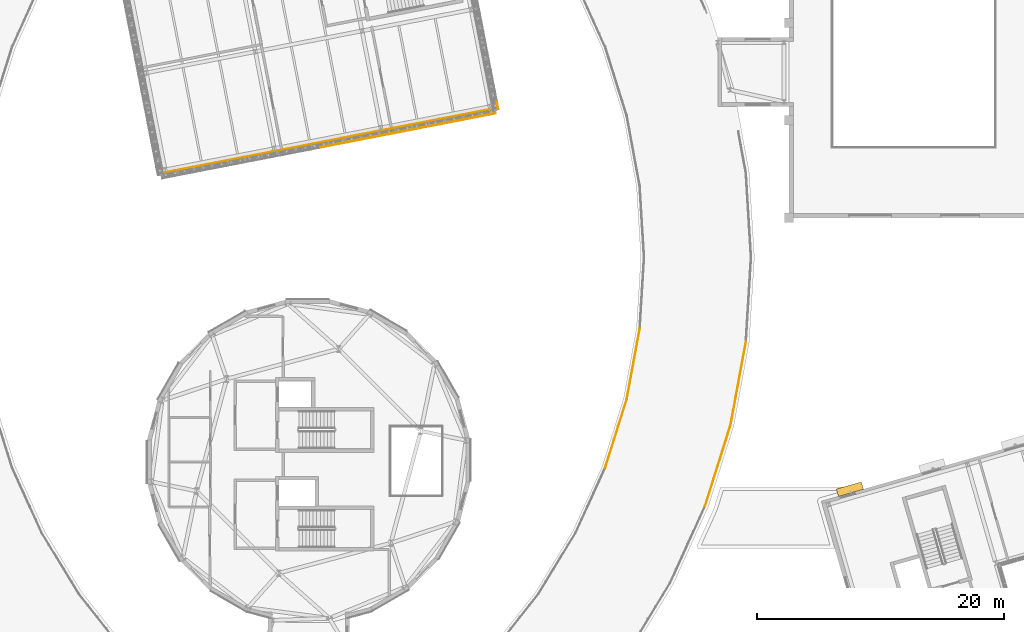
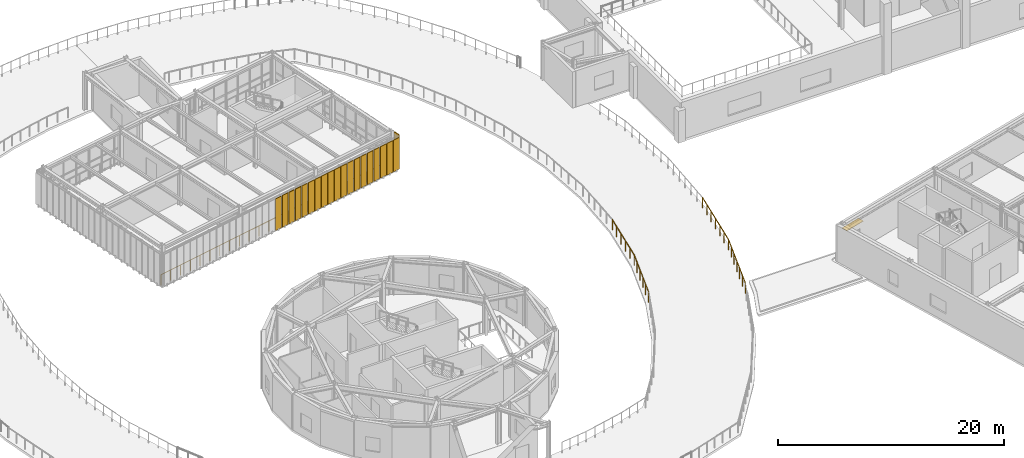
# One storey, part 52 of 59: 21 shading devices, 5 railings.
"""IFC4 building model written with IfcOpenShell, lengths in metres."""

from ifc_helpers import new_model, si_unit, direction, frame, origin, origin_2d, place, context, subcontext, project, spatial, rectangle, circle, extrude, material, layer, layer_set, type_object, element, save


model = new_model("IFC4")

# Units and contexts
model_context = context("Model", 3, precision=1e-05, world=origin(), true_north=direction((0.0, 1.0)))
body_context = subcontext(model_context, "Body", "Model", "MODEL_VIEW")
ifc_project = project(units=[si_unit("LENGTHUNIT", "METRE"), si_unit("AREAUNIT", "SQUARE_METRE"), si_unit("VOLUMEUNIT", "CUBIC_METRE"), si_unit("PLANEANGLEUNIT", "RADIAN"), si_unit("MASSUNIT", "GRAM", prefix="KILO")], contexts=[model_context])

# Site, building, storey
site_placement = place(None, origin())
site = spatial("IfcSite", under=ifc_project, at=site_placement, CompositionType="ELEMENT")
building_placement = place(site_placement, origin())
building = spatial("IfcBuilding", under=site, at=building_placement, Name="Varnklinge Art Gallery", CompositionType="ELEMENT")
storey_placement = place(building_placement, frame((0.0, 0.0, 9.52001953125)))
storey = spatial("IfcBuildingStorey", under=building, at=storey_placement, Name="L02", CompositionType="ELEMENT", Elevation=9.52001953125)

# Railings
ifc_material_1 = material(Name="Anodised Aluminium", Category="aluminium")
railing_type_1 = type_object("IfcRailingType", Name="BAL-01", PredefinedType="BALUSTRADE", material=ifc_material_1)
railing_1_placement = place(storey_placement, frame((63.52197265625, 61.7978515625, 0.0)))
element("IfcRailing", 1, at=railing_1_placement, inside=storey, type_object=railing_type_1, Name="BAL-V4B-L02-1-1", PredefinedType="BALUSTRADE", context=body_context, shape_type="SweptSolid", body=[
    extrude(circle(Radius=0.02392578125, at=origin_2d()), frame((0.0, 0.0, 1.11572265625), z_axis=(0.981627127192, 0.190809284787, 0.0), x_axis=(-0.190809284787, 0.981627127192, 0.0)), (0.0, 0.0, 1.0), 27.60009765625),
    extrude(circle(Radius=0.02099609375, at=origin_2d()), origin(), (0.0, 0.0, 1.0), 1.091796875),
    extrude(circle(Radius=0.02099609375, at=origin_2d()), frame((1.12890625, 0.219482421875, 0.0)), (0.0, 0.0, 1.0), 1.091796875),
    extrude(circle(Radius=0.02099609375, at=origin_2d()), frame((2.2578125, 0.43896484375, 0.0)), (0.0, 0.0, 1.0), 1.091796875),
    extrude(circle(Radius=0.02099609375, at=origin_2d()), frame((3.38671875, 0.658203125, 0.0)), (0.0, 0.0, 1.0), 1.091796875),
    extrude(circle(Radius=0.02099609375, at=origin_2d()), frame((4.515625, 0.877685546875, 0.0)), (0.0, 0.0, 1.0), 1.091796875),
    extrude(circle(Radius=0.02099609375, at=origin_2d()), frame((5.644287109375, 1.09716796875, 0.0)), (0.0, 0.0, 1.0), 1.091796875),
    extrude(circle(Radius=0.02099609375, at=origin_2d()), frame((6.773193359375, 1.316650390625, 0.0)), (0.0, 0.0, 1.0), 1.091796875),
    extrude(circle(Radius=0.02099609375, at=origin_2d()), frame((7.902099609375, 1.5361328125, 0.0)), (0.0, 0.0, 1.0), 1.091796875),
    extrude(circle(Radius=0.02099609375, at=origin_2d()), frame((9.031005859375, 1.75537109375, 0.0)), (0.0, 0.0, 1.0), 1.091796875),
    extrude(circle(Radius=0.02099609375, at=origin_2d()), frame((10.159912109375, 1.974853515625, 0.0)), (0.0, 0.0, 1.0), 1.091796875),
    extrude(circle(Radius=0.02099609375, at=origin_2d()), frame((11.288818359375, 2.1943359375, 0.0)), (0.0, 0.0, 1.0), 1.091796875),
    extrude(circle(Radius=0.02099609375, at=origin_2d()), frame((12.417724609375, 2.413818359375, 0.0)), (0.0, 0.0, 1.0), 1.091796875),
    extrude(circle(Radius=0.02099609375, at=origin_2d()), frame((13.54638671875, 2.63330078125, 0.0)), (0.0, 0.0, 1.0), 1.091796875),
    extrude(circle(Radius=0.02099609375, at=origin_2d()), frame((14.67529296875, 2.8525390625, 0.0)), (0.0, 0.0, 1.0), 1.091796875),
    extrude(circle(Radius=0.02099609375, at=origin_2d()), frame((15.80419921875, 3.072021484375, 0.0)), (0.0, 0.0, 1.0), 1.091796875),
    extrude(circle(Radius=0.02099609375, at=origin_2d()), frame((16.93310546875, 3.29150390625, 0.0)), (0.0, 0.0, 1.0), 1.091796875),
    extrude(circle(Radius=0.02099609375, at=origin_2d()), frame((18.06201171875, 3.510986328125, 0.0)), (0.0, 0.0, 1.0), 1.091796875),
    extrude(circle(Radius=0.02099609375, at=origin_2d()), frame((19.19091796875, 3.730224609375, 0.0)), (0.0, 0.0, 1.0), 1.091796875),
    extrude(circle(Radius=0.02099609375, at=origin_2d()), frame((20.31982421875, 3.94970703125, 0.0)), (0.0, 0.0, 1.0), 1.091796875),
    extrude(circle(Radius=0.02099609375, at=origin_2d()), frame((21.44873046875, 4.169189453125, 0.0)), (0.0, 0.0, 1.0), 1.091796875),
    extrude(circle(Radius=0.02099609375, at=origin_2d()), frame((22.57763671875, 4.388671875, 0.0)), (0.0, 0.0, 1.0), 1.091796875),
    extrude(circle(Radius=0.02099609375, at=origin_2d()), frame((23.706298828125, 4.608154296875, 0.0)), (0.0, 0.0, 1.0), 1.091796875),
    extrude(circle(Radius=0.02099609375, at=origin_2d()), frame((24.835205078125, 4.827392578125, 0.0)), (0.0, 0.0, 1.0), 1.091796875),
    extrude(circle(Radius=0.02099609375, at=origin_2d()), frame((25.964111328125, 5.046875, 0.0)), (0.0, 0.0, 1.0), 1.091796875),
    extrude(circle(Radius=0.02099609375, at=origin_2d()), frame((27.093017578125, 5.266357421875, 0.0)), (0.0, 0.0, 1.0), 1.091796875),
])
ifc_material_2 = material(Name="Steel S355", Category="steel")
railing_type_2 = type_object("IfcRailingType", Name="GR-EXT", PredefinedType="GUARDRAIL", material=ifc_material_2)
railing_2_placement = place(storey_placement, frame((107.614990234375, 34.876708984375, 0.0)))
element("IfcRailing", 2, at=railing_2_placement, inside=storey, type_object=railing_type_2, Name="L02 Roof Sculpture Garden Guardrail O04.1", PredefinedType="GUARDRAIL", context=body_context, shape_type="SweptSolid", body=[
    extrude(circle(Radius=0.02392578125, at=origin_2d()), frame((0.0, 0.0, 1.1259765625), z_axis=(0.299769178691, 0.954011760675, 0.0), x_axis=(-0.954011760675, 0.299769178691, 0.0)), (0.0, 0.0, 1.0), 6.85498046875),
    extrude(circle(Radius=0.02099609375, at=origin_2d()), origin(), (0.0, 0.0, 1.0), 1.101806640625),
    extrude(circle(Radius=0.02099609375, at=origin_2d()), frame((0.342529296875, 1.08984375, 0.0)), (0.0, 0.0, 1.0), 1.101806640625),
    extrude(circle(Radius=0.02099609375, at=origin_2d()), frame((0.68505859375, 2.179931640625, 0.0)), (0.0, 0.0, 1.0), 1.101806640625),
    extrude(circle(Radius=0.02099609375, at=origin_2d()), frame((1.02734375, 3.27001953125, 0.0)), (0.0, 0.0, 1.0), 1.101806640625),
    extrude(circle(Radius=0.02099609375, at=origin_2d()), frame((1.369873046875, 4.35986328125, 0.0)), (0.0, 0.0, 1.0), 1.101806640625),
    extrude(circle(Radius=0.02099609375, at=origin_2d()), frame((1.71240234375, 5.44970703125, 0.0)), (0.0, 0.0, 1.0), 1.101806640625),
    extrude(circle(Radius=0.02099609375, at=origin_2d()), frame((2.054931640625, 6.539794921875, 0.0)), (0.0, 0.0, 1.0), 1.101806640625),
])
railing_3_placement = place(storey_placement, frame((99.522705078125, 37.9716796875, 0.0)))
element("IfcRailing", 3, at=railing_3_placement, inside=storey, type_object=railing_type_2, Name="L02 Roof Sculpture Garden Guardrail I04.1", PredefinedType="GUARDRAIL", context=body_context, shape_type="SweptSolid", body=[
    extrude(circle(Radius=0.02392578125, at=origin_2d()), frame((0.0, 0.0, 1.1259765625), z_axis=(0.299753269559, 0.954016759491, 0.0), x_axis=(-0.954016759491, 0.299753269559, 0.0)), (0.0, 0.0, 1.0), 5.80078125),
    extrude(circle(Radius=0.02099609375, at=origin_2d()), origin(), (0.0, 0.0, 1.0), 1.101806640625),
    extrude(circle(Radius=0.02099609375, at=origin_2d()), frame((0.34765625, 1.106689453125, 0.0)), (0.0, 0.0, 1.0), 1.101806640625),
    extrude(circle(Radius=0.02099609375, at=origin_2d()), frame((0.695556640625, 2.213623046875, 0.0)), (0.0, 0.0, 1.0), 1.101806640625),
    extrude(circle(Radius=0.02099609375, at=origin_2d()), frame((1.043212890625, 3.3203125, 0.0)), (0.0, 0.0, 1.0), 1.101806640625),
    extrude(circle(Radius=0.02099609375, at=origin_2d()), frame((1.39111328125, 4.42724609375, 0.0)), (0.0, 0.0, 1.0), 1.101806640625),
    extrude(circle(Radius=0.02099609375, at=origin_2d()), frame((1.73876953125, 5.533935546875, 0.0)), (0.0, 0.0, 1.0), 1.101806640625),
])
railing_4_placement = place(storey_placement, frame((109.669921875, 41.41650390625, 0.0)))
element("IfcRailing", 4, at=railing_4_placement, inside=storey, type_object=railing_type_2, Name="L02 Roof Sculpture Garden Guardrail O05.1", PredefinedType="GUARDRAIL", context=body_context, shape_type="SweptSolid", body=[
    extrude(circle(Radius=0.02392578125, at=origin_2d()), frame((0.0, 0.0, 1.1259765625), z_axis=(0.181595695467, 0.983373277747, 0.0), x_axis=(-0.983373277747, 0.181595695467, 0.0)), (0.0, 0.0, 1.0), 6.855224609375),
    extrude(circle(Radius=0.02099609375, at=origin_2d()), origin(), (0.0, 0.0, 1.0), 1.101806640625),
    extrude(circle(Radius=0.02099609375, at=origin_2d()), frame((0.20751953125, 1.12353515625, 0.0)), (0.0, 0.0, 1.0), 1.101806640625),
    extrude(circle(Radius=0.02099609375, at=origin_2d()), frame((0.4150390625, 2.2470703125, 0.0)), (0.0, 0.0, 1.0), 1.101806640625),
    extrude(circle(Radius=0.02099609375, at=origin_2d()), frame((0.62255859375, 3.37060546875, 0.0)), (0.0, 0.0, 1.0), 1.101806640625),
    extrude(circle(Radius=0.02099609375, at=origin_2d()), frame((0.829833984375, 4.494140625, 0.0)), (0.0, 0.0, 1.0), 1.101806640625),
    extrude(circle(Radius=0.02099609375, at=origin_2d()), frame((1.037353515625, 5.61767578125, 0.0)), (0.0, 0.0, 1.0), 1.101806640625),
    extrude(circle(Radius=0.02099609375, at=origin_2d()), frame((1.244873046875, 6.7412109375, 0.0)), (0.0, 0.0, 1.0), 1.101806640625),
])
railing_5_placement = place(storey_placement, frame((101.261474609375, 43.505615234375, 0.0)))
element("IfcRailing", 5, at=railing_5_placement, inside=storey, type_object=railing_type_2, Name="L02 Roof Sculpture Garden Guardrail I05.1", PredefinedType="GUARDRAIL", context=body_context, shape_type="SweptSolid", body=[
    extrude(circle(Radius=0.02392578125, at=origin_2d()), frame((0.0, 0.0, 1.1259765625), z_axis=(0.181647662815, 0.983363679721, 0.0), x_axis=(-0.983363679721, 0.181647662815, 0.0)), (0.0, 0.0, 1.0), 5.80078125),
    extrude(circle(Radius=0.02099609375, at=origin_2d()), origin(), (0.0, 0.0, 1.0), 1.101806640625),
    extrude(circle(Radius=0.02099609375, at=origin_2d()), frame((0.210693359375, 1.140869140625, 0.0)), (0.0, 0.0, 1.0), 1.101806640625),
    extrude(circle(Radius=0.02099609375, at=origin_2d()), frame((0.42138671875, 2.28173828125, 0.0)), (0.0, 0.0, 1.0), 1.101806640625),
    extrude(circle(Radius=0.02099609375, at=origin_2d()), frame((0.63232421875, 3.422607421875, 0.0)), (0.0, 0.0, 1.0), 1.101806640625),
    extrude(circle(Radius=0.02099609375, at=origin_2d()), frame((0.843017578125, 4.5634765625, 0.0)), (0.0, 0.0, 1.0), 1.101806640625),
    extrude(circle(Radius=0.02099609375, at=origin_2d()), frame((1.0537109375, 5.704345703125, 0.0)), (0.0, 0.0, 1.0), 1.101806640625),
])

# Shading devices
ifc_material_3 = material(Name="Anodised Aluminium", Category="aluminium")
ifc_layer_1 = layer(ifc_material_3, 0.044921875)
ifc_layer_set_1 = layer_set([ifc_layer_1], Name="Anodised Aluminium")
shading_device_type_1 = type_object("IfcShadingDeviceType", Name="SHD-FIN", PredefinedType="JALOUSIE", material=ifc_layer_set_1)
shading_device_placement = place(storey_placement, frame((119.33544921875, 36.21728515625, 2.47509765625), z_axis=(0.0, 0.0, 1.0), x_axis=(0.961261695938, 0.275637355817, 0.0)))
element("IfcShadingDevice", 6, at=shading_device_placement, inside=storey, type_object=shading_device_type_1, Name="L02 Studio Solar Brise-Soleil Fin EW-V6-L02-02.1", PredefinedType="JALOUSIE", context=body_context, shape_type="SweptSolid", body=[
    extrude(rectangle(XDim=2.10009765625, YDim=0.6201171875, at=origin_2d()), origin(), (0.0, 0.0, 1.0), 0.050048828125),
])
ifc_material_4 = material(Name="Perforated Aluminium-Precast Lattice", Category="concrete")
ifc_layer_2 = layer(ifc_material_4, 0.06005859375)
ifc_layer_set_2 = layer_set([ifc_layer_2], Name="Perforated Aluminium-Precast Lattice")
shading_device_type_2 = type_object("IfcShadingDeviceType", Name="SHD-LAT", PredefinedType="USERDEFINED", material=ifc_layer_set_2)
for number, where, z_axis, x_axis, name in (
    (7, (76.7685546875, 63.965087890625, 0.10009765625), (0.0, 0.0, 1.0), (0.981627183448, 0.190808995377, 0.0), "L02 Perforated Lattice Screen 1.2.9"),
    (8, (77.52099609375, 64.111572265625, 0.10009765625), (0.0, 0.0, 1.0), (0.981627183448, 0.190808995377, 0.0), "L02 Perforated Lattice Screen 1.3.1"),
    (9, (78.273681640625, 64.2578125, 0.10009765625), (0.0, 0.0, 1.0), (0.981627183448, 0.190808995377, 0.0), "L02 Perforated Lattice Screen 1.3.2"),
    (10, (79.026123046875, 64.404052734375, 0.10009765625), (0.0, 0.0, 1.0), (0.981627183448, 0.190808995377, 0.0), "L02 Perforated Lattice Screen 1.3.3"),
    (11, (79.77880859375, 64.55029296875, 0.10009765625), (0.0, 0.0, 1.0), (0.981627183448, 0.190808995377, 0.0), "L02 Perforated Lattice Screen 1.3.4"),
    (12, (80.531494140625, 64.69677734375, 0.10009765625), (0.0, 0.0, 1.0), (0.981627183448, 0.190808995377, 0.0), "L02 Perforated Lattice Screen 1.3.5"),
    (13, (81.283935546875, 64.843017578125, 0.10009765625), (0.0, 0.0, 1.0), (0.981627183448, 0.190808995377, 0.0), "L02 Perforated Lattice Screen 1.3.6"),
    (14, (82.03662109375, 64.9892578125, 0.10009765625), (0.0, 0.0, 1.0), (0.981627183448, 0.190808995377, 0.0), "L02 Perforated Lattice Screen 1.3.7"),
    (15, (82.789306640625, 65.135498046875, 0.10009765625), (0.0, 0.0, 1.0), (0.981627183448, 0.190808995377, 0.0), "L02 Perforated Lattice Screen 1.3.8"),
    (16, (83.541748046875, 65.28173828125, 0.10009765625), (0.0, 0.0, 1.0), (0.981627183448, 0.190808995377, 0.0), "L02 Perforated Lattice Screen 1.3.9"),
    (17, (84.294189453125, 65.427978515625, 0.10009765625), (0.0, 0.0, 1.0), (0.981627183448, 0.190808995377, 0.0), "L02 Perforated Lattice Screen 1.4.1"),
    (18, (85.046875, 65.574462890625, 0.10009765625), (0.0, 0.0, 1.0), (0.981627183448, 0.190808995377, 0.0), "L02 Perforated Lattice Screen 1.4.2"),
    (19, (85.799560546875, 65.720703125, 0.10009765625), (0.0, 0.0, 1.0), (0.981627183448, 0.190808995377, 0.0), "L02 Perforated Lattice Screen 1.4.3"),
    (20, (86.552001953125, 65.866943359375, 0.10009765625), (0.0, 0.0, 1.0), (0.981627183448, 0.190808995377, 0.0), "L02 Perforated Lattice Screen 1.4.4"),
    (21, (87.3046875, 66.01318359375, 0.10009765625), (0.0, 0.0, 1.0), (0.981627183448, 0.190808995377, 0.0), "L02 Perforated Lattice Screen 1.4.5"),
    (22, (88.05712890625, 66.159423828125, 0.10009765625), (0.0, 0.0, 1.0), (0.981627183448, 0.190808995377, 0.0), "L02 Perforated Lattice Screen 1.4.6"),
    (23, (88.809814453125, 66.305908203125, 0.10009765625), (0.0, 0.0, 1.0), (0.981627183448, 0.190808995377, 0.0), "L02 Perforated Lattice Screen 1.4.7"),
    (24, (89.5625, 66.4521484375, 0.10009765625), (0.0, 0.0, 1.0), (0.981627183448, 0.190808995377, 0.0), "L02 Perforated Lattice Screen 1.4.8"),
    (25, (90.31494140625, 66.598388671875, 0.10009765625), (0.0, 0.0, 1.0), (0.981627183448, 0.190808995377, 0.0), "L02 Perforated Lattice Screen 1.4.9"),
    (26, (90.788818359375, 67.322021484375, 0.10009765625), (0.0, 0.0, 1.0), (-0.190808995377, 0.981627183448, 0.0), "L02 Perforated Lattice Screen 2.1.1"),
):
    element("IfcShadingDevice", number, at=place(storey_placement, frame(where, z_axis=z_axis, x_axis=x_axis)), inside=storey, type_object=shading_device_type_2, Name=name, ObjectType="LATTICE SCREEN", PredefinedType="USERDEFINED", context=body_context, shape_type="SweptSolid", body=[
        extrude(rectangle(XDim=0.679931640625, YDim=0.06005859375, at=origin_2d()), origin(), (0.0, 0.0, 1.0), 3.409912109375),
    ])

save(model, "model.ifc")
